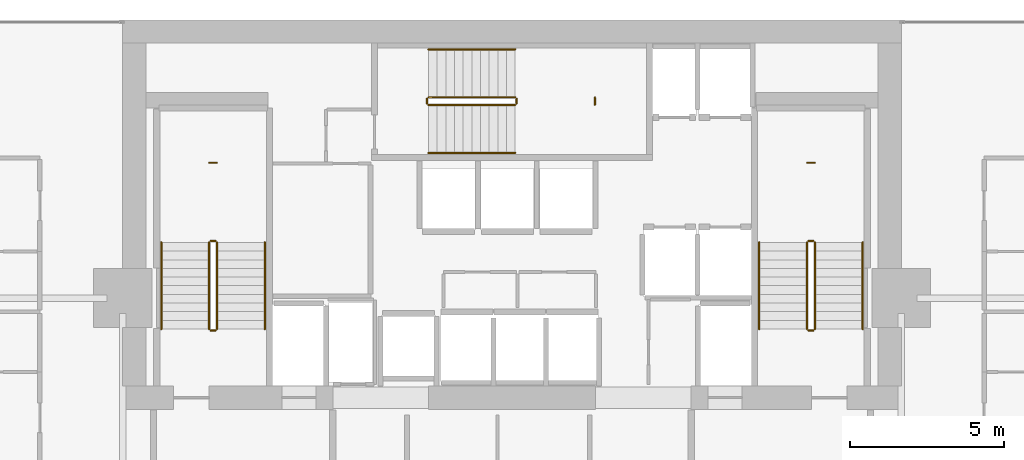
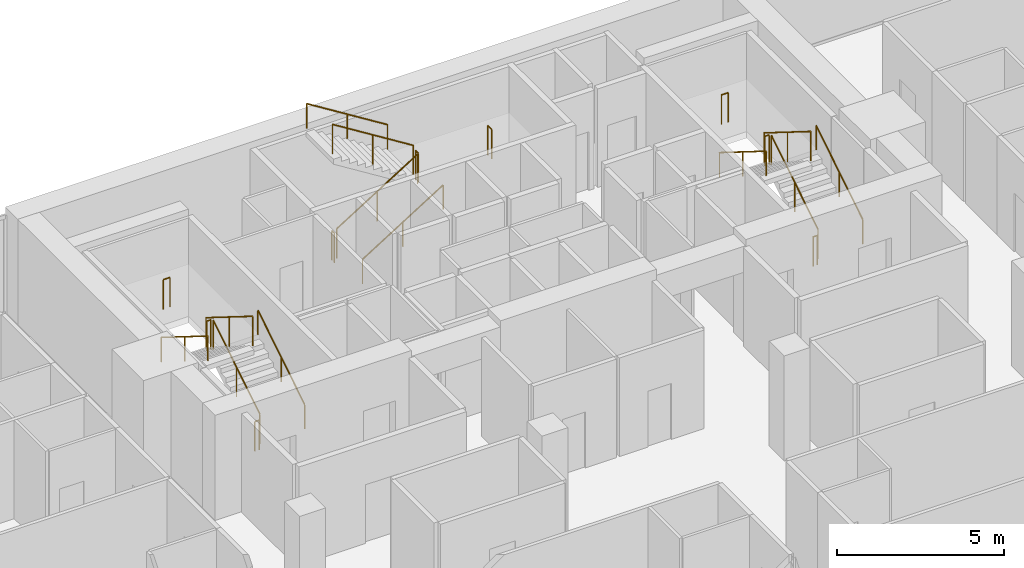
# One storey, part 34 of 34: 21 railings.
"""IFC4 building model written with IfcOpenShell, lengths in metres."""

from ifc_helpers import new_model, si_unit, direction, frame, origin, origin_2d, place, context, subcontext, project, spatial, circle, extrude, material, type_object, element, save


model = new_model("IFC4")

# Units and contexts
model_context = context("Model", 3, precision=1e-05, world=origin(), true_north=direction((0.0, 1.0)))
body_context = subcontext(model_context, "Body", "Model", "MODEL_VIEW")
ifc_project = project(units=[si_unit("LENGTHUNIT", "METRE"), si_unit("AREAUNIT", "SQUARE_METRE"), si_unit("VOLUMEUNIT", "CUBIC_METRE"), si_unit("PLANEANGLEUNIT", "RADIAN"), si_unit("MASSUNIT", "GRAM", prefix="KILO")], contexts=[model_context])

# Site, building, storey
site_placement = place(None, origin())
site = spatial("IfcSite", under=ifc_project, at=site_placement, CompositionType="ELEMENT")
building_placement = place(site_placement, origin())
building = spatial("IfcBuilding", under=site, at=building_placement, Name="Maruvema Waterfront Hotel and Observation Tower", CompositionType="ELEMENT")
storey_placement = place(building_placement, frame((0.0, 0.0, 215.949951171875)))
storey = spatial("IfcBuildingStorey", under=building, at=storey_placement, Name="L53", CompositionType="ELEMENT", Elevation=215.949951171875)

# Railings
ifc_material_1 = material(Name="Brushed stainless steel Grade 316", Category="steel")
railing_type_1 = type_object("IfcRailingType", Name="Ramp Continuous Wall Handrail 920 mm", PredefinedType="HANDRAIL", material=ifc_material_1)
railing_1_placement = place(storey_placement, frame((29.800048828125, 44.0, 0.175048828125)))
element("IfcRailing", 1, at=railing_1_placement, inside=storey, type_object=railing_type_1, Name="L53 ST-01 stair handrail 1", PredefinedType="HANDRAIL", context=body_context, shape_type="SweptSolid", body=[
    extrude(circle(Radius=0.02392578125, at=origin_2d()), frame((0.0, 0.0, 0.89599609375), z_axis=(0.0, 0.848002457836, 0.529992293815), x_axis=(-1.0, 0.0, 0.0)), (0.0, 0.0, 1.0), 3.302001953125),
    extrude(circle(Radius=0.02099609375, at=origin_2d()), origin(), (0.0, 0.0, 1.0), 0.871826171875),
    extrude(circle(Radius=0.02099609375, at=origin_2d()), frame((0.0, 1.39990234375, 0.875)), (0.0, 0.0, 1.0), 0.871826171875),
    extrude(circle(Radius=0.02099609375, at=origin_2d()), frame((0.0, 2.800048828125, 1.75)), (0.0, 0.0, 1.0), 0.871826171875),
])
railing_2_placement = place(storey_placement, frame((26.449951171875, 46.800048828125, 2.10009765625)))
element("IfcRailing", 2, at=railing_2_placement, inside=storey, type_object=railing_type_1, Name="L53 ST-01 stair handrail 2", PredefinedType="HANDRAIL", context=body_context, shape_type="SweptSolid", body=[
    extrude(circle(Radius=0.02392578125, at=origin_2d()), frame((0.0, 0.0, 0.89599609375), z_axis=(0.0, -0.848002457836, 0.529992293815), x_axis=(1.0, 0.0, 0.0)), (0.0, 0.0, 1.0), 3.302001953125),
    extrude(circle(Radius=0.02099609375, at=origin_2d()), origin(), (0.0, 0.0, 1.0), 0.871826171875),
    extrude(circle(Radius=0.02099609375, at=origin_2d()), frame((0.0, -1.39990234375, 0.875)), (0.0, 0.0, 1.0), 0.871826171875),
    extrude(circle(Radius=0.02099609375, at=origin_2d()), frame((0.0, -2.800048828125, 1.75)), (0.0, 0.0, 1.0), 0.871826171875),
])
railing_3_placement = place(storey_placement, frame((35.10009765625, 49.699951171875, 0.175048828125)))
element("IfcRailing", 3, at=railing_3_placement, inside=storey, type_object=railing_type_1, Name="L53 ST-02 stair handrail 1", PredefinedType="HANDRAIL", context=body_context, shape_type="SweptSolid", body=[
    extrude(circle(Radius=0.02392578125, at=origin_2d()), frame((0.0, 0.0, 0.89599609375), z_axis=(0.847981687118, 0.0, 0.530025526095), x_axis=(0.0, 1.0, 0.0)), (0.0, 0.0, 1.0), 3.3017578125),
    extrude(circle(Radius=0.02099609375, at=origin_2d()), origin(), (0.0, 0.0, 1.0), 0.871826171875),
    extrude(circle(Radius=0.02099609375, at=origin_2d()), frame((1.39990234375, 0.0, 0.875)), (0.0, 0.0, 1.0), 0.871826171875),
    extrude(circle(Radius=0.02099609375, at=origin_2d()), frame((2.7998046875, 0.0, 1.75)), (0.0, 0.0, 1.0), 0.871826171875),
])
railing_4_placement = place(storey_placement, frame((37.89990234375, 53.050048828125, 2.10009765625)))
element("IfcRailing", 4, at=railing_4_placement, inside=storey, type_object=railing_type_1, Name="L53 ST-02 stair handrail 2", PredefinedType="HANDRAIL", context=body_context, shape_type="SweptSolid", body=[
    extrude(circle(Radius=0.02392578125, at=origin_2d()), frame((0.0, 0.0, 0.89599609375), z_axis=(-0.847981687118, 0.0, 0.530025526095), x_axis=(0.0, -1.0, 0.0)), (0.0, 0.0, 1.0), 3.3017578125),
    extrude(circle(Radius=0.02099609375, at=origin_2d()), origin(), (0.0, 0.0, 1.0), 0.871826171875),
    extrude(circle(Radius=0.02099609375, at=origin_2d()), frame((-1.39990234375, 0.0, 0.875)), (0.0, 0.0, 1.0), 0.871826171875),
    extrude(circle(Radius=0.02099609375, at=origin_2d()), frame((-2.7998046875, 0.0, 1.75)), (0.0, 0.0, 1.0), 0.871826171875),
])
railing_5_placement = place(storey_placement, frame((49.14990234375, 44.0, 0.175048828125)))
element("IfcRailing", 5, at=railing_5_placement, inside=storey, type_object=railing_type_1, Name="L53 ST-03 stair handrail 1", PredefinedType="HANDRAIL", context=body_context, shape_type="SweptSolid", body=[
    extrude(circle(Radius=0.02392578125, at=origin_2d()), frame((0.0, 0.0, 0.89599609375), z_axis=(0.0, 0.848002457836, 0.529992293815), x_axis=(-1.0, 0.0, 0.0)), (0.0, 0.0, 1.0), 3.302001953125),
    extrude(circle(Radius=0.02099609375, at=origin_2d()), origin(), (0.0, 0.0, 1.0), 0.871826171875),
    extrude(circle(Radius=0.02099609375, at=origin_2d()), frame((0.0, 1.39990234375, 0.875)), (0.0, 0.0, 1.0), 0.871826171875),
    extrude(circle(Radius=0.02099609375, at=origin_2d()), frame((0.0, 2.800048828125, 1.75)), (0.0, 0.0, 1.0), 0.871826171875),
])
railing_6_placement = place(storey_placement, frame((45.800048828125, 46.800048828125, 2.10009765625)))
element("IfcRailing", 6, at=railing_6_placement, inside=storey, type_object=railing_type_1, Name="L53 ST-03 stair handrail 2", PredefinedType="HANDRAIL", context=body_context, shape_type="SweptSolid", body=[
    extrude(circle(Radius=0.02392578125, at=origin_2d()), frame((0.0, 0.0, 0.89599609375), z_axis=(0.0, -0.848002457836, 0.529992293815), x_axis=(1.0, 0.0, 0.0)), (0.0, 0.0, 1.0), 3.302001953125),
    extrude(circle(Radius=0.02099609375, at=origin_2d()), origin(), (0.0, 0.0, 1.0), 0.871826171875),
    extrude(circle(Radius=0.02099609375, at=origin_2d()), frame((0.0, -1.39990234375, 0.875)), (0.0, 0.0, 1.0), 0.871826171875),
    extrude(circle(Radius=0.02099609375, at=origin_2d()), frame((0.0, -2.800048828125, 1.75)), (0.0, 0.0, 1.0), 0.871826171875),
])
ifc_material_2 = material(Name="Brushed stainless steel Grade 316", Category="steel")
railing_type_2 = type_object("IfcRailingType", Name="Ramp and Terrace Guard Balustrade 1100 mm", PredefinedType="BALUSTRADE", material=ifc_material_2)
railing_7_placement = place(storey_placement, frame((28.25, 44.0, 0.175048828125)))
element("IfcRailing", 7, at=railing_7_placement, inside=storey, type_object=railing_type_2, Name="L53 ST-01 stair guard 1", PredefinedType="BALUSTRADE", context=body_context, shape_type="SweptSolid", body=[
    extrude(circle(Radius=0.02392578125, at=origin_2d()), frame((0.0, 0.0, 1.076171875), z_axis=(0.0, 0.848002457836, 0.529992293815), x_axis=(-1.0, 0.0, 0.0)), (0.0, 0.0, 1.0), 3.302001953125),
    extrude(circle(Radius=0.02099609375, at=origin_2d()), origin(), (0.0, 0.0, 1.0), 1.052001953125),
    extrude(circle(Radius=0.02099609375, at=origin_2d()), frame((0.0, 1.39990234375, 0.875)), (0.0, 0.0, 1.0), 1.052001953125),
    extrude(circle(Radius=0.02099609375, at=origin_2d()), frame((0.0, 2.800048828125, 1.75)), (0.0, 0.0, 1.0), 1.052001953125),
])
railing_8_placement = place(storey_placement, frame((28.199951171875, 46.85009765625, 1.925048828125)))
element("IfcRailing", 8, at=railing_8_placement, inside=storey, type_object=railing_type_2, Name="L53 ST-01 stair guard 2", PredefinedType="BALUSTRADE", context=body_context, shape_type="SweptSolid", body=[
    extrude(circle(Radius=0.02392578125, at=origin_2d()), frame((0.0, 0.0, 1.076171875), z_axis=(-1.0, 0.0, 0.0), x_axis=(0.0, -1.0, 0.0)), (0.0, 0.0, 1.0), 0.14990234375),
    extrude(circle(Radius=0.02099609375, at=origin_2d()), origin(), (0.0, 0.0, 1.0), 1.052001953125),
    extrude(circle(Radius=0.02099609375, at=origin_2d()), frame((-0.14990234375, 0.0, 0.0)), (0.0, 0.0, 1.0), 1.052001953125),
])
railing_9_placement = place(storey_placement, frame((28.0, 46.800048828125, 2.10009765625)))
element("IfcRailing", 9, at=railing_9_placement, inside=storey, type_object=railing_type_2, Name="L53 ST-01 stair guard 3", PredefinedType="BALUSTRADE", context=body_context, shape_type="SweptSolid", body=[
    extrude(circle(Radius=0.02392578125, at=origin_2d()), frame((0.0, 0.0, 1.076171875), z_axis=(0.0, -0.848002457836, 0.529992293815), x_axis=(1.0, 0.0, 0.0)), (0.0, 0.0, 1.0), 3.302001953125),
    extrude(circle(Radius=0.02099609375, at=origin_2d()), origin(), (0.0, 0.0, 1.0), 1.052001953125),
    extrude(circle(Radius=0.02099609375, at=origin_2d()), frame((0.0, -1.39990234375, 0.875)), (0.0, 0.0, 1.0), 1.052001953125),
    extrude(circle(Radius=0.02099609375, at=origin_2d()), frame((0.0, -2.800048828125, 1.75)), (0.0, 0.0, 1.0), 1.052001953125),
])
railing_10_placement = place(storey_placement, frame((28.199951171875, 43.949951171875, 0.0)))
element("IfcRailing", 10, at=railing_10_placement, inside=storey, type_object=railing_type_2, Name="L53 ST-01 stair guard 4", PredefinedType="BALUSTRADE", context=body_context, shape_type="SweptSolid", body=[
    extrude(circle(Radius=0.02392578125, at=origin_2d()), frame((0.0, 0.0, 1.076171875), z_axis=(-1.0, 0.0, 0.0), x_axis=(0.0, -1.0, 0.0)), (0.0, 0.0, 1.0), 0.14990234375),
    extrude(circle(Radius=0.02099609375, at=origin_2d()), origin(), (0.0, 0.0, 1.0), 1.052001953125),
    extrude(circle(Radius=0.02099609375, at=origin_2d()), frame((-0.14990234375, 0.0, 0.0)), (0.0, 0.0, 1.0), 1.052001953125),
])
railing_11_placement = place(storey_placement, frame((28.239990234375, 49.3798828125, 1.925048828125)))
element("IfcRailing", 11, at=railing_11_placement, inside=storey, type_object=railing_type_2, Name="L53 ST-01 Half-Landing Slot Guard", PredefinedType="BALUSTRADE", context=body_context, shape_type="SweptSolid", body=[
    extrude(circle(Radius=0.02392578125, at=origin_2d()), frame((0.0, 0.0, 1.076171875), z_axis=(-1.0, 0.0, 0.0), x_axis=(0.0, -1.0, 0.0)), (0.0, 0.0, 1.0), 0.22998046875),
    extrude(circle(Radius=0.02099609375, at=origin_2d()), origin(), (0.0, 0.0, 1.0), 1.052001953125),
    extrude(circle(Radius=0.02099609375, at=origin_2d()), frame((-0.22998046875, 0.0, 0.0)), (0.0, 0.0, 1.0), 1.052001953125),
])
railing_12_placement = place(storey_placement, frame((35.10009765625, 51.25, 0.175048828125)))
element("IfcRailing", 12, at=railing_12_placement, inside=storey, type_object=railing_type_2, Name="L53 ST-02 stair guard 1", PredefinedType="BALUSTRADE", context=body_context, shape_type="SweptSolid", body=[
    extrude(circle(Radius=0.02392578125, at=origin_2d()), frame((0.0, 0.0, 1.076171875), z_axis=(0.847981687118, 0.0, 0.530025526095), x_axis=(0.0, 1.0, 0.0)), (0.0, 0.0, 1.0), 3.3017578125),
    extrude(circle(Radius=0.02099609375, at=origin_2d()), origin(), (0.0, 0.0, 1.0), 1.052001953125),
    extrude(circle(Radius=0.02099609375, at=origin_2d()), frame((1.39990234375, 0.0, 0.875)), (0.0, 0.0, 1.0), 1.052001953125),
    extrude(circle(Radius=0.02099609375, at=origin_2d()), frame((2.7998046875, 0.0, 1.75)), (0.0, 0.0, 1.0), 1.052001953125),
])
railing_13_placement = place(storey_placement, frame((37.949951171875, 51.300048828125, 1.925048828125)))
element("IfcRailing", 13, at=railing_13_placement, inside=storey, type_object=railing_type_2, Name="L53 ST-02 stair guard 2", PredefinedType="BALUSTRADE", context=body_context, shape_type="SweptSolid", body=[
    extrude(circle(Radius=0.02392578125, at=origin_2d()), frame((0.0, 0.0, 1.076171875), z_axis=(0.0, 1.0, 0.0), x_axis=(-1.0, 0.0, 0.0)), (0.0, 0.0, 1.0), 0.14990234375),
    extrude(circle(Radius=0.02099609375, at=origin_2d()), origin(), (0.0, 0.0, 1.0), 1.052001953125),
    extrude(circle(Radius=0.02099609375, at=origin_2d()), frame((0.0, 0.14990234375, 0.0)), (0.0, 0.0, 1.0), 1.052001953125),
])
railing_14_placement = place(storey_placement, frame((37.89990234375, 51.5, 2.10009765625)))
element("IfcRailing", 14, at=railing_14_placement, inside=storey, type_object=railing_type_2, Name="L53 ST-02 stair guard 3", PredefinedType="BALUSTRADE", context=body_context, shape_type="SweptSolid", body=[
    extrude(circle(Radius=0.02392578125, at=origin_2d()), frame((0.0, 0.0, 1.076171875), z_axis=(-0.847981687118, 0.0, 0.530025526095), x_axis=(0.0, -1.0, 0.0)), (0.0, 0.0, 1.0), 3.3017578125),
    extrude(circle(Radius=0.02099609375, at=origin_2d()), origin(), (0.0, 0.0, 1.0), 1.052001953125),
    extrude(circle(Radius=0.02099609375, at=origin_2d()), frame((-1.39990234375, 0.0, 0.875)), (0.0, 0.0, 1.0), 1.052001953125),
    extrude(circle(Radius=0.02099609375, at=origin_2d()), frame((-2.7998046875, 0.0, 1.75)), (0.0, 0.0, 1.0), 1.052001953125),
])
railing_15_placement = place(storey_placement, frame((35.050048828125, 51.300048828125, 0.0)))
element("IfcRailing", 15, at=railing_15_placement, inside=storey, type_object=railing_type_2, Name="L53 ST-02 stair guard 4", PredefinedType="BALUSTRADE", context=body_context, shape_type="SweptSolid", body=[
    extrude(circle(Radius=0.02392578125, at=origin_2d()), frame((0.0, 0.0, 1.076171875), z_axis=(0.0, 1.0, 0.0), x_axis=(-1.0, 0.0, 0.0)), (0.0, 0.0, 1.0), 0.14990234375),
    extrude(circle(Radius=0.02099609375, at=origin_2d()), origin(), (0.0, 0.0, 1.0), 1.052001953125),
    extrude(circle(Radius=0.02099609375, at=origin_2d()), frame((0.0, 0.14990234375, 0.0)), (0.0, 0.0, 1.0), 1.052001953125),
])
railing_16_placement = place(storey_placement, frame((40.47998046875, 51.260009765625, 1.925048828125)))
element("IfcRailing", 16, at=railing_16_placement, inside=storey, type_object=railing_type_2, Name="L53 ST-02 Half-Landing Slot Guard", PredefinedType="BALUSTRADE", context=body_context, shape_type="SweptSolid", body=[
    extrude(circle(Radius=0.02392578125, at=origin_2d()), frame((0.0, 0.0, 1.076171875), z_axis=(0.0, 1.0, 0.0), x_axis=(-1.0, 0.0, 0.0)), (0.0, 0.0, 1.0), 0.22998046875),
    extrude(circle(Radius=0.02099609375, at=origin_2d()), origin(), (0.0, 0.0, 1.0), 1.052001953125),
    extrude(circle(Radius=0.02099609375, at=origin_2d()), frame((0.0, 0.22998046875, 0.0)), (0.0, 0.0, 1.0), 1.052001953125),
])
railing_17_placement = place(storey_placement, frame((47.60009765625, 44.0, 0.175048828125)))
element("IfcRailing", 17, at=railing_17_placement, inside=storey, type_object=railing_type_2, Name="L53 ST-03 stair guard 1", PredefinedType="BALUSTRADE", context=body_context, shape_type="SweptSolid", body=[
    extrude(circle(Radius=0.02392578125, at=origin_2d()), frame((0.0, 0.0, 1.076171875), z_axis=(0.0, 0.848002457836, 0.529992293815), x_axis=(-1.0, 0.0, 0.0)), (0.0, 0.0, 1.0), 3.302001953125),
    extrude(circle(Radius=0.02099609375, at=origin_2d()), origin(), (0.0, 0.0, 1.0), 1.052001953125),
    extrude(circle(Radius=0.02099609375, at=origin_2d()), frame((0.0, 1.39990234375, 0.875)), (0.0, 0.0, 1.0), 1.052001953125),
    extrude(circle(Radius=0.02099609375, at=origin_2d()), frame((0.0, 2.800048828125, 1.75)), (0.0, 0.0, 1.0), 1.052001953125),
])
railing_18_placement = place(storey_placement, frame((47.550048828125, 46.85009765625, 1.925048828125)))
element("IfcRailing", 18, at=railing_18_placement, inside=storey, type_object=railing_type_2, Name="L53 ST-03 stair guard 2", PredefinedType="BALUSTRADE", context=body_context, shape_type="SweptSolid", body=[
    extrude(circle(Radius=0.02392578125, at=origin_2d()), frame((0.0, 0.0, 1.076171875), z_axis=(-1.0, 0.0, 0.0), x_axis=(0.0, -1.0, 0.0)), (0.0, 0.0, 1.0), 0.150146484375),
    extrude(circle(Radius=0.02099609375, at=origin_2d()), origin(), (0.0, 0.0, 1.0), 1.052001953125),
    extrude(circle(Radius=0.02099609375, at=origin_2d()), frame((-0.150146484375, 0.0, 0.0)), (0.0, 0.0, 1.0), 1.052001953125),
])
railing_19_placement = place(storey_placement, frame((47.35009765625, 46.800048828125, 2.10009765625)))
element("IfcRailing", 19, at=railing_19_placement, inside=storey, type_object=railing_type_2, Name="L53 ST-03 stair guard 3", PredefinedType="BALUSTRADE", context=body_context, shape_type="SweptSolid", body=[
    extrude(circle(Radius=0.02392578125, at=origin_2d()), frame((0.0, 0.0, 1.076171875), z_axis=(0.0, -0.848002457836, 0.529992293815), x_axis=(1.0, 0.0, 0.0)), (0.0, 0.0, 1.0), 3.302001953125),
    extrude(circle(Radius=0.02099609375, at=origin_2d()), origin(), (0.0, 0.0, 1.0), 1.052001953125),
    extrude(circle(Radius=0.02099609375, at=origin_2d()), frame((0.0, -1.39990234375, 0.875)), (0.0, 0.0, 1.0), 1.052001953125),
    extrude(circle(Radius=0.02099609375, at=origin_2d()), frame((0.0, -2.800048828125, 1.75)), (0.0, 0.0, 1.0), 1.052001953125),
])
railing_20_placement = place(storey_placement, frame((47.550048828125, 43.949951171875, 0.0)))
element("IfcRailing", 20, at=railing_20_placement, inside=storey, type_object=railing_type_2, Name="L53 ST-03 stair guard 4", PredefinedType="BALUSTRADE", context=body_context, shape_type="SweptSolid", body=[
    extrude(circle(Radius=0.02392578125, at=origin_2d()), frame((0.0, 0.0, 1.076171875), z_axis=(-1.0, 0.0, 0.0), x_axis=(0.0, -1.0, 0.0)), (0.0, 0.0, 1.0), 0.150146484375),
    extrude(circle(Radius=0.02099609375, at=origin_2d()), origin(), (0.0, 0.0, 1.0), 1.052001953125),
    extrude(circle(Radius=0.02099609375, at=origin_2d()), frame((-0.150146484375, 0.0, 0.0)), (0.0, 0.0, 1.0), 1.052001953125),
])
railing_21_placement = place(storey_placement, frame((47.590087890625, 49.3798828125, 1.925048828125)))
element("IfcRailing", 21, at=railing_21_placement, inside=storey, type_object=railing_type_2, Name="L53 ST-03 Half-Landing Slot Guard", PredefinedType="BALUSTRADE", context=body_context, shape_type="SweptSolid", body=[
    extrude(circle(Radius=0.02392578125, at=origin_2d()), frame((0.0, 0.0, 1.076171875), z_axis=(-1.0, 0.0, 0.0), x_axis=(0.0, -1.0, 0.0)), (0.0, 0.0, 1.0), 0.22998046875),
    extrude(circle(Radius=0.02099609375, at=origin_2d()), origin(), (0.0, 0.0, 1.0), 1.052001953125),
    extrude(circle(Radius=0.02099609375, at=origin_2d()), frame((-0.22998046875, 0.0, 0.0)), (0.0, 0.0, 1.0), 1.052001953125),
])

save(model, "model.ifc")
